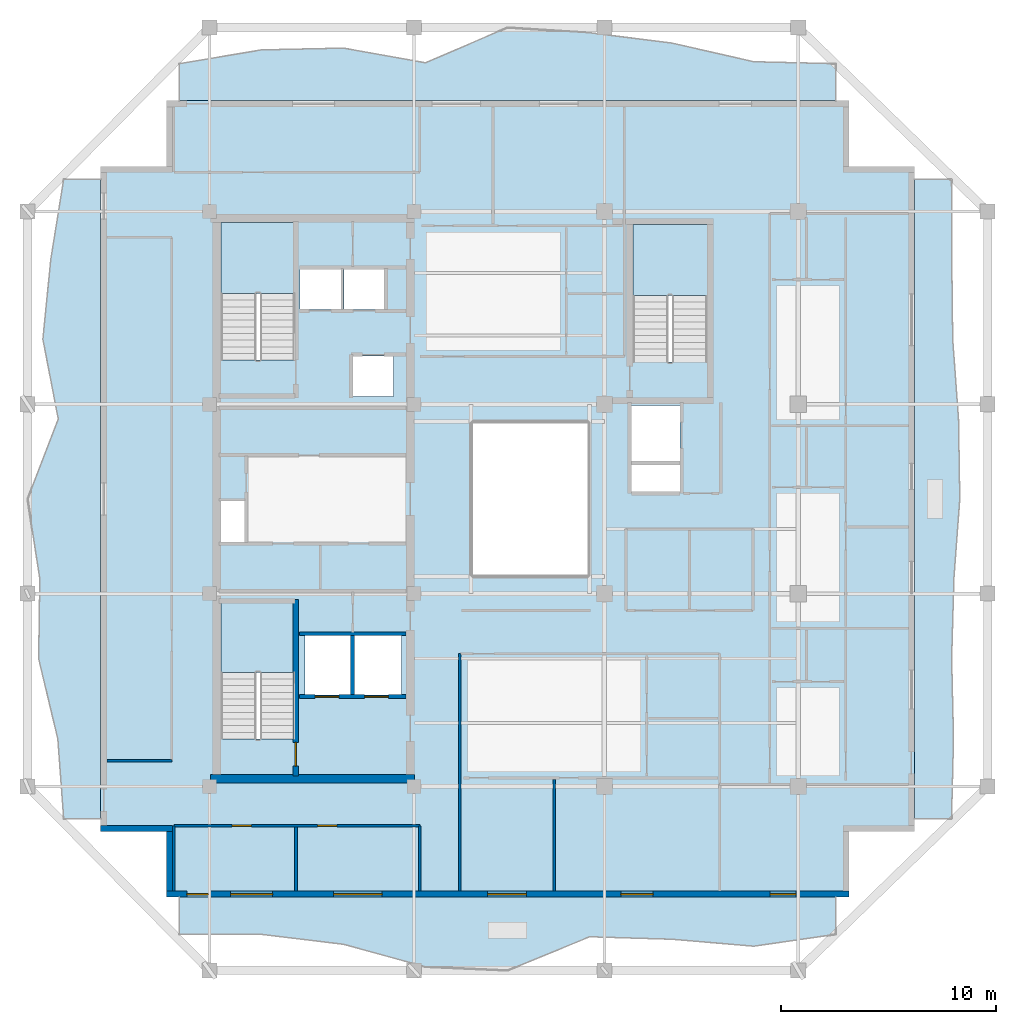
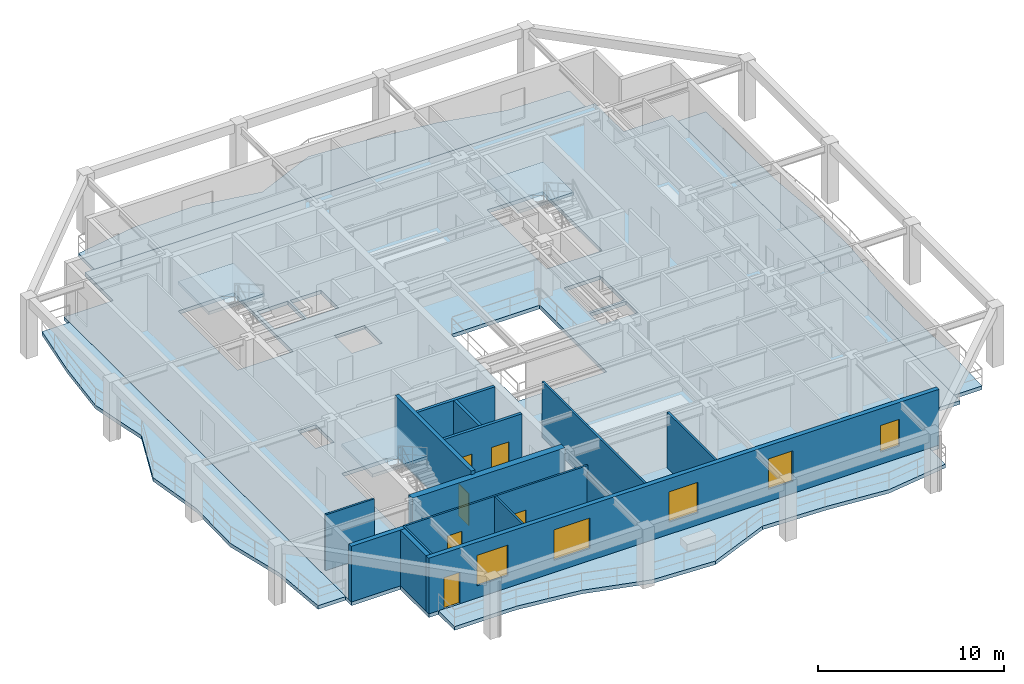
# One storey, part 2 of 10: 15 walls, 8 slabs, 6 doors, 5 windows, 11 openings, 3 elements without a shape of their own.
"""IFC4 building model written with IfcOpenShell, lengths in metres."""

from ifc_helpers import new_model, si_unit, direction, frame, frame_2d, origin, place, context, subcontext, project, spatial, polyline, rectangle, outline, extrude, material, layer, layer_set, type_object, element, fill, aggregate, save


model = new_model("IFC4")

# Units and contexts
model_context = context("Model", 3, precision=1e-05, world=origin(), true_north=direction((0.0, 1.0)))
body_context = subcontext(model_context, "Body", "Model", "MODEL_VIEW")
ifc_project = project(units=[si_unit("LENGTHUNIT", "METRE"), si_unit("AREAUNIT", "SQUARE_METRE"), si_unit("VOLUMEUNIT", "CUBIC_METRE"), si_unit("PLANEANGLEUNIT", "RADIAN"), si_unit("MASSUNIT", "GRAM", prefix="KILO")], contexts=[model_context])

# Site, building, storey
site_placement = place(None, origin())
site = spatial("IfcSite", under=ifc_project, at=site_placement, CompositionType="ELEMENT")
building_placement = place(site_placement, origin())
building = spatial("IfcBuilding", under=site, at=building_placement, Name="Kundavana Baori Tower", CompositionType="ELEMENT")
storey_placement = place(building_placement, frame((0.0, 0.0, 284.300048828125)))
storey = spatial("IfcBuildingStorey", under=building, at=storey_placement, Name="L70", CompositionType="ELEMENT", Elevation=284.300048828125)

# Slab
ifc_material_1 = material(Name="Concrete C40/50", Category="concrete")
ifc_layer_1 = layer(ifc_material_1, 0.239990234375, Name="SLB-FLR-240")
ifc_layer_set_1 = layer_set([ifc_layer_1], Name="Concrete C40/50")
slab_type_1 = type_object("IfcSlabType", Name="SLB-FLR-240", PredefinedType="FLOOR", material=ifc_layer_set_1)
slab_1_placement = place(storey_placement, frame((0.0, 0.0, -0.239990234375)))
element("IfcSlab", 1, at=slab_1_placement, inside=storey, type_object=slab_type_1, Name="L70 Structural Floor Slab", PredefinedType="FLOOR", context=body_context, shape_type="SweptSolid", body=[
    extrude(outline(polyline([(13.449951171875, 10.10009765625), (45.14990234375, 10.10009765625), (45.14990234375, 13.14990234375), (48.199951171875, 13.14990234375), (48.199951171875, 44.050048828125), (45.14990234375, 44.050048828125), (45.14990234375, 47.10009765625), (13.449951171875, 47.10009765625), (13.449951171875, 44.050048828125), (10.39990234375, 44.050048828125), (10.39990234375, 13.14990234375), (13.449951171875, 13.14990234375), (13.449951171875, 10.10009765625)]), holes=[polyline([(19.43994140625, 17.4619140625), (19.43994140625, 23.85009765625), (15.97998046875, 23.85009765625), (15.97998046875, 17.4619140625), (19.43994140625, 17.4619140625)]), polyline([(19.43994140625, 35.06201171875), (19.43994140625, 41.449951171875), (15.97998046875, 41.449951171875), (15.97998046875, 35.06201171875), (19.43994140625, 35.06201171875)]), polyline([(38.580078125, 34.9619140625), (38.580078125, 41.35009765625), (35.1201171875, 41.35009765625), (35.1201171875, 34.9619140625), (38.580078125, 34.9619140625)]), polyline([(19.64990234375, 37.39990234375), (21.550048828125, 37.39990234375), (21.550048828125, 39.300048828125), (19.64990234375, 39.300048828125), (19.64990234375, 37.39990234375)]), polyline([(21.699951171875, 37.39990234375), (23.60009765625, 37.39990234375), (23.60009765625, 39.300048828125), (21.699951171875, 39.300048828125), (21.699951171875, 37.39990234375)]), polyline([(22.10009765625, 33.35009765625), (24.0, 33.35009765625), (24.0, 35.25), (22.10009765625, 35.25), (22.10009765625, 33.35009765625)]), polyline([(19.8798828125, 19.5), (22.02001953125, 19.5), (22.02001953125, 22.25), (19.8798828125, 22.25), (19.8798828125, 19.5)]), polyline([(22.179931640625, 19.5), (24.3798828125, 19.5), (24.3798828125, 22.25), (22.179931640625, 22.25), (22.179931640625, 19.5)]), polyline([(35.050048828125, 30.35009765625), (37.300048828125, 30.35009765625), (37.300048828125, 32.949951171875), (35.050048828125, 32.949951171875), (35.050048828125, 30.35009765625)]), polyline([(15.949951171875, 26.60009765625), (17.080078125, 26.60009765625), (17.080078125, 28.5), (15.949951171875, 28.5), (15.949951171875, 26.60009765625)]), polyline([(35.050048828125, 28.949951171875), (37.300048828125, 28.949951171875), (37.300048828125, 30.199951171875), (35.050048828125, 30.199951171875), (35.050048828125, 28.949951171875)]), polyline([(27.60009765625, 25.0), (33.10009765625, 25.0), (33.10009765625, 32.199951171875), (27.60009765625, 32.199951171875), (27.60009765625, 25.0)])]), origin(), (0.0, 0.0, 1.0), 0.239990234375),
])

# Stair, slab
ifc_material_2 = material(Name="Concrete C40/50", Category="concrete")
stair_type = type_object("IfcStairType", Name="STR-DOG-1650", PredefinedType="HALF_TURN_STAIR", material=ifc_material_2)
stair_1_placement = place(storey_placement, origin())
stair_1 = element("IfcStair", 2, at=stair_1_placement, inside=storey, type_object=stair_type, Name="L70 Protected Exit Stair ST1", PredefinedType="HALF_TURN_STAIR")
ifc_material_3 = material(Name="Concrete C40/50", Category="concrete")
ifc_layer_2 = layer(ifc_material_3, 0.199951171875, Name="SLB-LND-200")
ifc_layer_set_2 = layer_set([ifc_layer_2], Name="Concrete C40/50")
slab_type_2 = type_object("IfcSlabType", Name="SLB-LND-200", PredefinedType="LANDING", material=ifc_layer_set_2)
slab_2_placement = place(storey_placement, frame((0.0, 0.0, 1.75)))
slab_2 = element("IfcSlab", 3, at=slab_2_placement, type_object=slab_type_2, Name="ST1 landing 1", PredefinedType="LANDING", context=body_context, shape_type="SweptSolid", body=[
    extrude(outline(polyline([(19.43994140625, 20.550048828125), (19.43994140625, 23.85009765625), (15.97998046875, 23.85009765625), (15.97998046875, 20.550048828125), (19.43994140625, 20.550048828125)])), origin(), (0.0, 0.0, 1.0), 0.199951171875),
])
aggregate(stair_1, [slab_2])

stair_2_placement = place(storey_placement, origin())
stair_2 = element("IfcStair", 4, at=stair_2_placement, inside=storey, type_object=stair_type, Name="L70 Protected Exit Stair ST2", PredefinedType="HALF_TURN_STAIR")
slab_3_placement = place(storey_placement, frame((0.0, 0.0, 1.75)))
slab_3 = element("IfcSlab", 5, at=slab_3_placement, type_object=slab_type_2, Name="ST2 landing 1", PredefinedType="LANDING", context=body_context, shape_type="SweptSolid", body=[
    extrude(outline(polyline([(19.43994140625, 38.14990234375), (19.43994140625, 41.449951171875), (15.97998046875, 41.449951171875), (15.97998046875, 38.14990234375), (19.43994140625, 38.14990234375)])), origin(), (0.0, 0.0, 1.0), 0.199951171875),
])
aggregate(stair_2, [slab_3])

stair_3_placement = place(storey_placement, origin())
stair_3 = element("IfcStair", 6, at=stair_3_placement, inside=storey, type_object=stair_type, Name="L70 Protected Exit Stair ST3", PredefinedType="HALF_TURN_STAIR")
slab_4_placement = place(storey_placement, frame((0.0, 0.0, 1.75)))
slab_4 = element("IfcSlab", 7, at=slab_4_placement, type_object=slab_type_2, Name="ST3 landing 1", PredefinedType="LANDING", context=body_context, shape_type="SweptSolid", body=[
    extrude(outline(polyline([(38.580078125, 38.050048828125), (38.580078125, 41.35009765625), (35.1201171875, 41.35009765625), (35.1201171875, 38.050048828125), (38.580078125, 38.050048828125)])), origin(), (0.0, 0.0, 1.0), 0.199951171875),
])
aggregate(stair_3, [slab_4])

# Slabs
ifc_material_4 = material(Name="Concrete C40/50", Category="concrete")
ifc_layer_3 = layer(ifc_material_4, 0.239990234375, Name="SLB-LOG-240")
ifc_layer_set_3 = layer_set([ifc_layer_3], Name="Concrete C40/50")
slab_type_3 = type_object("IfcSlabType", Name="SLB-LOG-240", PredefinedType="FLOOR", material=ifc_layer_set_3)
slab_5_placement = place(storey_placement, frame((0.0, 0.0, -0.239990234375)))
element("IfcSlab", 8, at=slab_5_placement, inside=storey, type_object=slab_type_3, Name="L70 Planted Loggia Balcony Slab S", PredefinedType="FLOOR", context=body_context, shape_type="SweptSolid", body=[
    extrude(outline(polyline([(14.050048828125, 10.10009765625), (44.550048828125, 10.10009765625), (44.550048828125, 8.3798828125), (40.737060546875, 7.827880859375), (36.925048828125, 8.15087890625), (33.112060546875, 8.264892578125), (29.300048828125, 6.699951171875), (25.487060546875, 6.8701171875), (21.675048828125, 7.916015625), (17.863037109375, 8.3779296875), (14.050048828125, 8.3798828125), (14.050048828125, 10.10009765625)])), origin(), (0.0, 0.0, 1.0), 0.239990234375),
])
slab_6_placement = place(storey_placement, frame((0.0, 0.0, -0.239990234375)))
element("IfcSlab", 9, at=slab_6_placement, inside=storey, type_object=slab_type_3, Name="L70 Planted Loggia Balcony Slab E", PredefinedType="FLOOR", context=body_context, shape_type="SweptSolid", body=[
    extrude(outline(polyline([(48.199951171875, 13.75), (48.199951171875, 43.449951171875), (49.919921875, 43.449951171875), (49.930908203125, 39.738037109375), (49.97509765625, 36.02490234375), (50.2451171875, 32.31201171875), (50.303955078125, 28.60009765625), (50.030029296875, 24.887939453125), (49.926025390625, 21.175048828125), (50.011962890625, 17.4619140625), (49.919921875, 13.75), (48.199951171875, 13.75)])), origin(), (0.0, 0.0, 1.0), 0.239990234375),
])
slab_7_placement = place(storey_placement, frame((0.0, 0.0, -0.239990234375)))
element("IfcSlab", 10, at=slab_7_placement, inside=storey, type_object=slab_type_3, Name="L70 Planted Loggia Balcony Slab N", PredefinedType="FLOOR", context=body_context, shape_type="SweptSolid", body=[
    extrude(outline(polyline([(44.550048828125, 47.10009765625), (14.050048828125, 47.10009765625), (14.050048828125, 48.820068359375), (17.863037109375, 49.4609375), (21.675048828125, 49.5439453125), (25.487060546875, 48.862060546875), (29.300048828125, 50.5), (33.112060546875, 50.257080078125), (36.925048828125, 49.779052734375), (40.737060546875, 48.910888671875), (44.550048828125, 48.820068359375), (44.550048828125, 47.10009765625)])), origin(), (0.0, 0.0, 1.0), 0.239990234375),
])
slab_8_placement = place(storey_placement, frame((0.0, 0.0, -0.239990234375)))
element("IfcSlab", 11, at=slab_8_placement, inside=storey, type_object=slab_type_3, Name="L70 Planted Loggia Balcony Slab W", PredefinedType="FLOOR", context=body_context, shape_type="SweptSolid", body=[
    extrude(outline(polyline([(10.39990234375, 43.449951171875), (10.39990234375, 13.75), (8.679931640625, 13.75), (8.406005859375, 17.4619140625), (7.51806640625, 21.175048828125), (7.570068359375, 24.887939453125), (7.0, 28.60009765625), (8.428955078125, 32.31201171875), (7.712890625, 36.02490234375), (8.0810546875, 39.738037109375), (8.679931640625, 43.449951171875), (10.39990234375, 43.449951171875)])), origin(), (0.0, 0.0, 1.0), 0.239990234375),
])

# Wall
ifc_material_5 = material(Name="Concrete C50/60", Category="concrete")
ifc_layer_4 = layer(ifc_material_5, 0.39990234375, Name="WL-CORE-400")
ifc_layer_set_4 = layer_set([ifc_layer_4], Name="Concrete C50/60")
wall_type_1 = type_object("IfcWallType", Name="WL-CORE-400", PredefinedType="SHEAR", material=ifc_layer_set_4)
wall_1_placement = place(storey_placement, frame((15.5, 15.610107421875, 0.0), z_axis=(0.0, 0.0, 1.0), x_axis=(1.0, 0.0, 0.0)))
element("IfcWall", 12, at=wall_1_placement, inside=storey, type_object=wall_type_1, Name="L70 Offset Core South Shear Wall", PredefinedType="SHEAR", context=body_context, shape_type="SweptSolid", body=[
    extrude(rectangle(XDim=9.47998046875, YDim=0.39990234375, at=frame_2d((4.739990234375, 0.0))), origin(), (0.0, 0.0, 1.0), 3.659912109375),
])

# Wall, opening, door
wall_2_placement = place(storey_placement, frame((19.4599609375, 15.739990234375, 0.0), z_axis=(0.0, 0.0, 1.0), x_axis=(0.0, 1.0, 0.0)))
wall_2 = element("IfcWall", 13, at=wall_2_placement, inside=storey, type_object=wall_type_1, Name="WL-L70-ST1-E", PredefinedType="SHEAR", context=body_context, shape_type="SweptSolid", body=[
    extrude(rectangle(XDim=8.199951171875, YDim=0.239990234375, at=frame_2d((4.10009765625, 0.0))), origin(), (0.0, 0.0, 1.0), 3.89990234375),
])
opening_1_placement = place(wall_2_placement, frame((0.449951171875, 0.0, 0.0)))
opening_1 = element("IfcOpeningElement", 14, at=opening_1_placement, cuts=wall_2, Name="Opening FD-110", PredefinedType="OPENING", context=body_context, shape_type="SweptSolid", body=[
    extrude(rectangle(XDim=1.10009765625, YDim=2.10009765625, at=frame_2d((0.550048828125, 1.050048828125))), frame((0.0, 0.1298828125, 0.0), z_axis=(0.0, -1.0, 0.0), x_axis=(1.0, 0.0, 0.0)), (0.0, 0.0, 1.0), 0.260009765625),
])
ifc_material_6 = material(Name="Galvanised Steel Fire-Rated Door Leaf", Category="steel")
door_type_1 = type_object("IfcDoorType", Name="DR-FD120-1100", OperationType="NOTDEFINED", PredefinedType="DOOR", material=ifc_material_6)
door_1_placement = place(opening_1_placement, origin())
door_1 = element("IfcDoor", 15, at=door_1_placement, inside=storey, type_object=door_type_1, Name="DR-L70-ST1", OperationType="SINGLE_SWING_LEFT", OverallHeight=2.10009765625, OverallWidth=1.10009765625, PredefinedType="DOOR", context=body_context, shape_type="SweptSolid", body=[
    extrude(rectangle(XDim=1.10009765625, YDim=2.10009765625, at=frame_2d((0.550048828125, 1.050048828125))), frame((0.0, 0.02490234375, 0.0), z_axis=(0.0, -1.0, 0.0), x_axis=(1.0, 0.0, 0.0)), (0.0, 0.0, 1.0), 0.050048828125),
])
fill(opening_1, door_1)

# Wall, openings, door, windows
ifc_material_7 = material(Name="Red-Buff Dholpur Sandstone Cladding on Concrete C40/50", Category="masonry")
ifc_layer_5 = layer(ifc_material_7, 0.280029296875, Name="WL-EXT-SAND-280")
ifc_layer_set_5 = layer_set([ifc_layer_5], Name="Red-Buff Dholpur Sandstone Cladding on Concrete C40/50")
wall_type_2 = type_object("IfcWallType", Name="WL-EXT-SAND-280", PredefinedType="STANDARD", material=ifc_layer_set_5)
wall_3_placement = place(storey_placement, frame((13.449951171875, 10.239990234375, 0.0), z_axis=(0.0, 0.0, 1.0), x_axis=(1.0, 0.0, 0.0)))
wall_3 = element("IfcWall", 16, at=wall_3_placement, inside=storey, type_object=wall_type_2, Name="L70 Exterior Insulated Facade Wall 01", PredefinedType="STANDARD", context=body_context, shape_type="SweptSolid", body=[
    extrude(rectangle(XDim=31.699951171875, YDim=0.280029296875, at=frame_2d((15.85009765625, 0.0))), origin(), (0.0, 0.0, 1.0), 3.659912109375),
])
opening_2_placement = place(wall_3_placement, frame((0.949951171875, 0.0, 0.0)))
opening_2 = element("IfcOpeningElement", 17, at=opening_2_placement, cuts=wall_3, Name="Opening BD-1", PredefinedType="OPENING", context=body_context, shape_type="SweptSolid", body=[
    extrude(rectangle(XDim=1.0, YDim=2.050048828125, at=frame_2d((0.5, 1.02490234375))), frame((0.0, 0.14990234375, 0.0), z_axis=(0.0, -1.0, 0.0), x_axis=(1.0, 0.0, 0.0)), (0.0, 0.0, 1.0), 0.300048828125),
])
opening_3_placement = place(wall_3_placement, frame((2.985107421875, 0.0, 0.800048828125)))
opening_3 = element("IfcOpeningElement", 18, at=opening_3_placement, cuts=wall_3, Name="Opening W-09", PredefinedType="OPENING", context=body_context, shape_type="SweptSolid", body=[
    extrude(rectangle(XDim=1.949951171875, YDim=2.0, at=frame_2d((0.97509765625, 1.0))), frame((0.0, 0.14990234375, 0.0), z_axis=(0.0, -1.0, 0.0), x_axis=(1.0, 0.0, 0.0)), (0.0, 0.0, 1.0), 0.300048828125),
])
opening_4_placement = place(wall_3_placement, frame((7.77001953125, 0.0, 0.800048828125)))
opening_4 = element("IfcOpeningElement", 19, at=opening_4_placement, cuts=wall_3, Name="Opening W-10", PredefinedType="OPENING", context=body_context, shape_type="SweptSolid", body=[
    extrude(rectangle(XDim=2.25, YDim=2.0, at=frame_2d((1.125, 1.0))), frame((0.0, 0.14990234375, 0.0), z_axis=(0.0, -1.0, 0.0), x_axis=(1.0, 0.0, 0.0)), (0.0, 0.0, 1.0), 0.300048828125),
])
opening_5_placement = place(wall_3_placement, frame((14.923095703125, 0.0, 0.800048828125)))
opening_5 = element("IfcOpeningElement", 20, at=opening_5_placement, cuts=wall_3, Name="Opening W-01", PredefinedType="OPENING", context=body_context, shape_type="SweptSolid", body=[
    extrude(rectangle(XDim=1.800048828125, YDim=2.0, at=frame_2d((0.89990234375, 1.0))), frame((0.0, 0.14990234375, 0.0), z_axis=(0.0, -1.0, 0.0), x_axis=(1.0, 0.0, 0.0)), (0.0, 0.0, 1.0), 0.300048828125),
])
opening_6_placement = place(wall_3_placement, frame((21.10791015625, 0.0, 0.800048828125)))
opening_6 = element("IfcOpeningElement", 21, at=opening_6_placement, cuts=wall_3, Name="Opening W-02", PredefinedType="OPENING", context=body_context, shape_type="SweptSolid", body=[
    extrude(rectangle(XDim=1.5, YDim=2.0, at=frame_2d((0.75, 1.0))), frame((0.0, 0.14990234375, 0.0), z_axis=(0.0, -1.0, 0.0), x_axis=(1.0, 0.0, 0.0)), (0.0, 0.0, 1.0), 0.300048828125),
])
opening_7_placement = place(wall_3_placement, frame((28.044921875, 0.0, 0.800048828125)))
opening_7 = element("IfcOpeningElement", 22, at=opening_7_placement, cuts=wall_3, Name="Opening W-03", PredefinedType="OPENING", context=body_context, shape_type="SweptSolid", body=[
    extrude(rectangle(XDim=1.199951171875, YDim=1.75, at=frame_2d((0.60009765625, 0.875))), frame((0.0, 0.14990234375, 0.0), z_axis=(0.0, -1.0, 0.0), x_axis=(1.0, 0.0, 0.0)), (0.0, 0.0, 1.0), 0.300048828125),
])
ifc_material_8 = material(Name="Architectural Patinated Bronze Metalwork")
door_type_2 = type_object("IfcDoorType", Name="DR-EXT-LOG-1000", OperationType="NOTDEFINED", PredefinedType="DOOR", material=ifc_material_8)
door_2_placement = place(opening_2_placement, frame((1.0, 0.0, 0.0), z_axis=(0.0, 0.0, 1.0), x_axis=(-1.0, 0.0, 0.0)))
door_2 = element("IfcDoor", 23, at=door_2_placement, inside=storey, type_object=door_type_2, Name="L70 Loggia Balcony Access Door S", OperationType="SINGLE_SWING_LEFT", OverallHeight=2.050048828125, OverallWidth=1.0, PredefinedType="DOOR", context=body_context, shape_type="SweptSolid", body=[
    extrude(rectangle(XDim=1.0, YDim=2.050048828125, at=frame_2d((0.5, 1.02490234375))), frame((0.0, 0.02490234375, 0.0), z_axis=(0.0, -1.0, 0.0), x_axis=(1.0, 0.0, 0.0)), (0.0, 0.0, 1.0), 0.050048828125),
])
fill(opening_2, door_2)
ifc_material_9 = material(Name="Double-Glazed Solar-Control Low-E Insulated Glass", Category="glass")
window_type_1 = type_object("IfcWindowType", Name="WIN-LOG-1200x1750", PartitioningType="SINGLE_PANEL", PredefinedType="WINDOW", material=ifc_material_9)
window_1_placement = place(opening_7_placement, origin())
window_1 = element("IfcWindow", 24, at=window_1_placement, inside=storey, type_object=window_type_1, Name="L70 Recessed Loggia Window S-5", OverallHeight=1.75, OverallWidth=1.199951171875, PartitioningType="SINGLE_PANEL", PredefinedType="WINDOW", context=body_context, shape_type="SweptSolid", body=[
    extrude(rectangle(XDim=1.199951171875, YDim=1.75, at=frame_2d((0.60009765625, 0.875))), frame((0.0, 0.030029296875, 0.0), z_axis=(0.0, -1.0, 0.0), x_axis=(1.0, 0.0, 0.0)), (0.0, 0.0, 1.0), 0.06005859375),
])
fill(opening_7, window_1)
ifc_material_10 = material(Name="Double-Glazed Solar-Control Low-E Insulated Glass", Category="glass")
window_type_2 = type_object("IfcWindowType", Name="WIN-LOG-1500x2000", PartitioningType="SINGLE_PANEL", PredefinedType="WINDOW", material=ifc_material_10)
window_2_placement = place(opening_6_placement, origin())
window_2 = element("IfcWindow", 25, at=window_2_placement, inside=storey, type_object=window_type_2, Name="L70 Recessed Loggia Window S-4", OverallHeight=2.0, OverallWidth=1.5, PartitioningType="SINGLE_PANEL", PredefinedType="WINDOW", context=body_context, shape_type="SweptSolid", body=[
    extrude(rectangle(XDim=1.5, YDim=2.0, at=frame_2d((0.75, 1.0))), frame((0.0, 0.030029296875, 0.0), z_axis=(0.0, -1.0, 0.0), x_axis=(1.0, 0.0, 0.0)), (0.0, 0.0, 1.0), 0.06005859375),
])
fill(opening_6, window_2)
ifc_material_11 = material(Name="Double-Glazed Solar-Control Low-E Insulated Glass", Category="glass")
window_type_3 = type_object("IfcWindowType", Name="WIN-LOG-1800x2000", PartitioningType="SINGLE_PANEL", PredefinedType="WINDOW", material=ifc_material_11)
window_3_placement = place(opening_5_placement, origin())
window_3 = element("IfcWindow", 26, at=window_3_placement, inside=storey, type_object=window_type_3, Name="L70 Recessed Loggia Window S-3", OverallHeight=2.0, OverallWidth=1.800048828125, PartitioningType="SINGLE_PANEL", PredefinedType="WINDOW", context=body_context, shape_type="SweptSolid", body=[
    extrude(rectangle(XDim=1.800048828125, YDim=2.0, at=frame_2d((0.89990234375, 1.0))), frame((0.0, 0.030029296875, 0.0), z_axis=(0.0, -1.0, 0.0), x_axis=(1.0, 0.0, 0.0)), (0.0, 0.0, 1.0), 0.06005859375),
])
fill(opening_5, window_3)
ifc_material_12 = material(Name="Double-Glazed Solar-Control Low-E Insulated Glass", Category="glass")
window_type_4 = type_object("IfcWindowType", Name="WIN-LOG-1950x2000", PartitioningType="SINGLE_PANEL", PredefinedType="WINDOW", material=ifc_material_12)
window_4_placement = place(opening_3_placement, origin())
window_4 = element("IfcWindow", 27, at=window_4_placement, inside=storey, type_object=window_type_4, Name="L70 Recessed Loggia Window S-1", OverallHeight=2.0, OverallWidth=1.949951171875, PartitioningType="SINGLE_PANEL", PredefinedType="WINDOW", context=body_context, shape_type="SweptSolid", body=[
    extrude(rectangle(XDim=1.949951171875, YDim=2.0, at=frame_2d((0.97509765625, 1.0))), frame((0.0, 0.030029296875, 0.0), z_axis=(0.0, -1.0, 0.0), x_axis=(1.0, 0.0, 0.0)), (0.0, 0.0, 1.0), 0.06005859375),
])
fill(opening_3, window_4)
ifc_material_13 = material(Name="Double-Glazed Solar-Control Low-E Insulated Glass", Category="glass")
window_type_5 = type_object("IfcWindowType", Name="WIN-LOG-2250x2000", PartitioningType="SINGLE_PANEL", PredefinedType="WINDOW", material=ifc_material_13)
window_5_placement = place(opening_4_placement, origin())
window_5 = element("IfcWindow", 28, at=window_5_placement, inside=storey, type_object=window_type_5, Name="L70 Recessed Loggia Window S-2", OverallHeight=2.0, OverallWidth=2.25, PartitioningType="SINGLE_PANEL", PredefinedType="WINDOW", context=body_context, shape_type="SweptSolid", body=[
    extrude(rectangle(XDim=2.25, YDim=2.0, at=frame_2d((1.125, 1.0))), frame((0.0, 0.030029296875, 0.0), z_axis=(0.0, -1.0, 0.0), x_axis=(1.0, 0.0, 0.0)), (0.0, 0.0, 1.0), 0.06005859375),
])
fill(opening_4, window_5)

# Walls
wall_4_placement = place(storey_placement, frame((10.39990234375, 13.2900390625, 0.0), z_axis=(0.0, 0.0, 1.0), x_axis=(1.0, 0.0, 0.0)))
element("IfcWall", 29, at=wall_4_placement, inside=storey, type_object=wall_type_2, Name="L70 Exterior Insulated Facade Wall 11", PredefinedType="STANDARD", context=body_context, shape_type="SweptSolid", body=[
    extrude(rectangle(XDim=3.330078125, YDim=0.280029296875, at=frame_2d((1.6650390625, 0.0))), origin(), (0.0, 0.0, 1.0), 3.659912109375),
])
wall_5_placement = place(storey_placement, frame((13.590087890625, 13.14990234375, 0.0), z_axis=(0.0, 0.0, 1.0), x_axis=(0.0, -1.0, 0.0)))
element("IfcWall", 30, at=wall_5_placement, inside=storey, type_object=wall_type_2, Name="L70 Exterior Insulated Facade Wall 12", PredefinedType="STANDARD", context=body_context, shape_type="SweptSolid", body=[
    extrude(rectangle(XDim=2.77001953125, YDim=0.280029296875, at=frame_2d((1.385009765625, 0.0))), origin(), (0.0, 0.0, 1.0), 3.659912109375),
])
ifc_material_14 = material(Name="Acoustic Gypsum Plasterboard on Galvanised Steel Studs", Category="steel")
ifc_layer_6 = layer(ifc_material_14, 0.1201171875, Name="WL-PART-120")
ifc_layer_set_6 = layer_set([ifc_layer_6], Name="Acoustic Gypsum Plasterboard on Galvanised Steel Studs")
wall_type_3 = type_object("IfcWallType", Name="WL-PART-120", PredefinedType="PARTITIONING", material=ifc_layer_set_6)
wall_6_placement = place(storey_placement, frame((27.080078125, 10.3798828125, 0.0), z_axis=(0.0, 0.0, 1.0), x_axis=(0.0, 1.0, 0.0)))
element("IfcWall", 31, at=wall_6_placement, inside=storey, type_object=wall_type_3, Name="WL-L70-RSW", PredefinedType="PARTITIONING", context=body_context, shape_type="SweptSolid", body=[
    extrude(rectangle(XDim=11.0400390625, YDim=0.1201171875, at=frame_2d((5.52001953125, 0.0))), origin(), (0.0, 0.0, 1.0), 3.659912109375),
])

# Wall, openings, doors
wall_7_placement = place(storey_placement, frame((13.800048828125, 13.419921875, 0.0), z_axis=(0.0, 0.0, 1.0), x_axis=(1.0, 0.0, 0.0)))
wall_7 = element("IfcWall", 32, at=wall_7_placement, inside=storey, type_object=wall_type_3, Name="WL-L70-RSC", PredefinedType="PARTITIONING", context=body_context, shape_type="SweptSolid", body=[
    extrude(rectangle(XDim=11.419921875, YDim=0.1201171875, at=frame_2d((5.7099609375, 0.0))), origin(), (0.0, 0.0, 1.0), 3.659912109375),
])
opening_8_placement = place(wall_7_placement, frame((2.699951171875, 0.0, 0.0)))
opening_8 = element("IfcOpeningElement", 33, at=opening_8_placement, cuts=wall_7, Name="Opening ID-090", PredefinedType="OPENING", context=body_context, shape_type="SweptSolid", body=[
    extrude(rectangle(XDim=0.89990234375, YDim=2.080078125, at=frame_2d((0.449951171875, 1.0400390625))), frame((0.0, 0.070068359375, 0.0), z_axis=(0.0, -1.0, 0.0), x_axis=(1.0, 0.0, 0.0)), (0.0, 0.0, 1.0), 0.14013671875),
])
opening_9_placement = place(wall_7_placement, frame((6.669921875, 0.0, 0.0)))
opening_9 = element("IfcOpeningElement", 34, at=opening_9_placement, cuts=wall_7, Name="Opening ID-090", PredefinedType="OPENING", context=body_context, shape_type="SweptSolid", body=[
    extrude(rectangle(XDim=0.89990234375, YDim=2.080078125, at=frame_2d((0.449951171875, 1.0400390625))), frame((0.0, 0.070068359375, 0.0), z_axis=(0.0, -1.0, 0.0), x_axis=(1.0, 0.0, 0.0)), (0.0, 0.0, 1.0), 0.14013671875),
])
ifc_material_15 = material(Name="Engineered Teak Solid-Core Timber Veneer", Category="wood")
door_type_3 = type_object("IfcDoorType", Name="DR-INT-900", OperationType="NOTDEFINED", PredefinedType="DOOR", material=ifc_material_15)
door_3_placement = place(opening_8_placement, frame((0.89990234375, 0.0, 0.0), z_axis=(0.0, 0.0, 1.0), x_axis=(-1.0, 0.0, 0.0)))
door_3 = element("IfcDoor", 35, at=door_3_placement, inside=storey, type_object=door_type_3, Name="DR-L70-RMSW1", OperationType="SINGLE_SWING_LEFT", OverallHeight=2.080078125, OverallWidth=0.89990234375, PredefinedType="DOOR", context=body_context, shape_type="SweptSolid", body=[
    extrude(rectangle(XDim=0.89990234375, YDim=2.080078125, at=frame_2d((0.449951171875, 1.0400390625))), frame((0.0, 0.02490234375, 0.0), z_axis=(0.0, -1.0, 0.0), x_axis=(1.0, 0.0, 0.0)), (0.0, 0.0, 1.0), 0.050048828125),
])
fill(opening_8, door_3)
door_4_placement = place(opening_9_placement, frame((0.89990234375, 0.0, 0.0), z_axis=(0.0, 0.0, 1.0), x_axis=(-1.0, 0.0, 0.0)))
door_4 = element("IfcDoor", 36, at=door_4_placement, inside=storey, type_object=door_type_3, Name="DR-L70-RMSW2", OperationType="SINGLE_SWING_RIGHT", OverallHeight=2.080078125, OverallWidth=0.89990234375, PredefinedType="DOOR", context=body_context, shape_type="SweptSolid", body=[
    extrude(rectangle(XDim=0.89990234375, YDim=2.080078125, at=frame_2d((0.449951171875, 1.0400390625))), frame((0.0, 0.02490234375, 0.0), z_axis=(0.0, -1.0, 0.0), x_axis=(1.0, 0.0, 0.0)), (0.0, 0.0, 1.0), 0.050048828125),
])
fill(opening_9, door_4)

# Walls
wall_8_placement = place(storey_placement, frame((13.800048828125, 10.3798828125, 0.0), z_axis=(0.0, 0.0, 1.0), x_axis=(0.0, 1.0, 0.0)))
element("IfcWall", 37, at=wall_8_placement, inside=storey, type_object=wall_type_3, Name="WL-L70-RSCW", PredefinedType="PARTITIONING", context=body_context, shape_type="SweptSolid", body=[
    extrude(rectangle(XDim=3.0400390625, YDim=0.1201171875, at=frame_2d((1.52001953125, 0.0))), origin(), (0.0, 0.0, 1.0), 3.659912109375),
])
wall_9_placement = place(storey_placement, frame((25.219970703125, 10.3798828125, 0.0), z_axis=(0.0, 0.0, 1.0), x_axis=(0.0, 1.0, 0.0)))
element("IfcWall", 38, at=wall_9_placement, inside=storey, type_object=wall_type_3, Name="WL-L70-RSCE", PredefinedType="PARTITIONING", context=body_context, shape_type="SweptSolid", body=[
    extrude(rectangle(XDim=3.0400390625, YDim=0.1201171875, at=frame_2d((1.52001953125, 0.0))), origin(), (0.0, 0.0, 1.0), 3.2099609375),
])
wall_10_placement = place(storey_placement, frame((19.469970703125, 10.3798828125, 0.0), z_axis=(0.0, 0.0, 1.0), x_axis=(0.0, 1.0, 0.0)))
element("IfcWall", 39, at=wall_10_placement, inside=storey, type_object=wall_type_3, Name="WL-L70-RSCD", PredefinedType="PARTITIONING", context=body_context, shape_type="SweptSolid", body=[
    extrude(rectangle(XDim=2.980224609375, YDim=0.1201171875, at=frame_2d((1.490234375, 0.0))), origin(), (0.0, 0.0, 1.0), 3.659912109375),
])
wall_11_placement = place(storey_placement, frame((10.679931640625, 16.449951171875, 0.0), z_axis=(0.0, 0.0, 1.0), x_axis=(1.0, 0.0, 0.0)))
element("IfcWall", 40, at=wall_11_placement, inside=storey, type_object=wall_type_3, Name="WL-L70-RWS", PredefinedType="PARTITIONING", context=body_context, shape_type="SweptSolid", body=[
    extrude(rectangle(XDim=3.02001953125, YDim=0.1201171875, at=frame_2d((1.510009765625, 0.0))), origin(), (0.0, 0.0, 1.0), 3.659912109375),
])
wall_12_placement = place(storey_placement, frame((31.465087890625, 10.3798828125, 0.0), z_axis=(0.0, 0.0, 1.0), x_axis=(0.0, 1.0, 0.0)))
element("IfcWall", 41, at=wall_12_placement, inside=storey, type_object=wall_type_3, Name="WL-L70-S1-BDV", PredefinedType="PARTITIONING", context=body_context, shape_type="SweptSolid", body=[
    extrude(rectangle(XDim=5.18115234375, YDim=0.1201171875, at=frame_2d((2.590576171875, 0.0))), origin(), (0.0, 0.0, 1.0), 3.659912109375),
])

# Wall, openings, doors
ifc_material_16 = material(Name="Autoclaved Aerated Concrete Blockwork Masonry", Category="masonry")
ifc_layer_7 = layer(ifc_material_16, 0.179931640625, Name="WL-SHAFT-180")
ifc_layer_set_7 = layer_set([ifc_layer_7], Name="Autoclaved Aerated Concrete Blockwork Masonry")
wall_type_4 = type_object("IfcWallType", Name="WL-SHAFT-180", PredefinedType="SOLIDWALL", material=ifc_layer_set_7)
wall_13_placement = place(storey_placement, frame((19.639892578125, 19.419921875, 0.0), z_axis=(0.0, 0.0, 1.0), x_axis=(1.0, 0.0, 0.0)))
wall_13 = element("IfcWall", 42, at=wall_13_placement, inside=storey, type_object=wall_type_4, Name="WL-L70-FFL-S", PredefinedType="SOLIDWALL", context=body_context, shape_type="SweptSolid", body=[
    extrude(rectangle(XDim=4.940185546875, YDim=0.179931640625, at=frame_2d((2.47021484375, 0.0))), origin(), (0.0, 0.0, 1.0), 3.659912109375),
])
opening_10_placement = place(wall_13_placement, frame((0.719970703125, 0.0, 0.0)))
opening_10 = element("IfcOpeningElement", 43, at=opening_10_placement, cuts=wall_13, Name="Opening LD-110", PredefinedType="OPENING", context=body_context, shape_type="SweptSolid", body=[
    extrude(rectangle(XDim=1.10009765625, YDim=2.10009765625, at=frame_2d((0.550048828125, 1.050048828125))), frame((0.0, 0.10009765625, 0.0), z_axis=(0.0, -1.0, 0.0), x_axis=(1.0, 0.0, 0.0)), (0.0, 0.0, 1.0), 0.199951171875),
])
opening_11_placement = place(wall_13_placement, frame((3.02001953125, 0.0, 0.0)))
opening_11 = element("IfcOpeningElement", 44, at=opening_11_placement, cuts=wall_13, Name="Opening LD-110", PredefinedType="OPENING", context=body_context, shape_type="SweptSolid", body=[
    extrude(rectangle(XDim=1.10009765625, YDim=2.10009765625, at=frame_2d((0.550048828125, 1.050048828125))), frame((0.0, 0.10009765625, 0.0), z_axis=(0.0, -1.0, 0.0), x_axis=(1.0, 0.0, 0.0)), (0.0, 0.0, 1.0), 0.199951171875),
])
ifc_material_17 = material(Name="Galvanised Steel Fire-Rated Door Leaf", Category="steel")
door_type_4 = type_object("IfcDoorType", Name="DR-SLIDE-LD1100", OperationType="NOTDEFINED", PredefinedType="DOOR", material=ifc_material_17)
door_5_placement = place(opening_10_placement, origin())
door_5 = element("IfcDoor", 45, at=door_5_placement, inside=storey, type_object=door_type_4, Name="DR-L70-LD-FFL-1", OperationType="DOUBLE_DOOR_SLIDING", OverallHeight=2.10009765625, OverallWidth=1.10009765625, PredefinedType="DOOR", context=body_context, shape_type="SweptSolid", body=[
    extrude(rectangle(XDim=1.10009765625, YDim=2.10009765625, at=frame_2d((0.550048828125, 1.050048828125))), frame((0.0, 0.02490234375, 0.0), z_axis=(0.0, -1.0, 0.0), x_axis=(1.0, 0.0, 0.0)), (0.0, 0.0, 1.0), 0.050048828125),
])
fill(opening_10, door_5)
door_6_placement = place(opening_11_placement, origin())
door_6 = element("IfcDoor", 46, at=door_6_placement, inside=storey, type_object=door_type_4, Name="DR-L70-LD-FFL-2", OperationType="DOUBLE_DOOR_SLIDING", OverallHeight=2.10009765625, OverallWidth=1.10009765625, PredefinedType="DOOR", context=body_context, shape_type="SweptSolid", body=[
    extrude(rectangle(XDim=1.10009765625, YDim=2.10009765625, at=frame_2d((0.550048828125, 1.050048828125))), frame((0.0, 0.02490234375, 0.0), z_axis=(0.0, -1.0, 0.0), x_axis=(1.0, 0.0, 0.0)), (0.0, 0.0, 1.0), 0.050048828125),
])
fill(opening_11, door_6)

# Walls
wall_14_placement = place(storey_placement, frame((22.10009765625, 19.510009765625, 0.0), z_axis=(0.0, 0.0, 1.0), x_axis=(0.0, 1.0, 0.0)))
element("IfcWall", 47, at=wall_14_placement, inside=storey, type_object=wall_type_4, Name="WL-L70-FFL-MID", PredefinedType="SOLIDWALL", context=body_context, shape_type="SweptSolid", body=[
    extrude(rectangle(XDim=2.739990234375, YDim=0.179931640625, at=frame_2d((1.3701171875, 0.0))), origin(), (0.0, 0.0, 1.0), 3.659912109375),
])
wall_15_placement = place(storey_placement, frame((19.639892578125, 22.340087890625, 0.0), z_axis=(0.0, 0.0, 1.0), x_axis=(1.0, 0.0, 0.0)))
element("IfcWall", 48, at=wall_15_placement, inside=storey, type_object=wall_type_4, Name="WL-L70-FFL-N", PredefinedType="SOLIDWALL", context=body_context, shape_type="SweptSolid", body=[
    extrude(rectangle(XDim=4.940185546875, YDim=0.179931640625, at=frame_2d((2.47021484375, 0.0))), origin(), (0.0, 0.0, 1.0), 3.659912109375),
])

save(model, "model.ifc")
